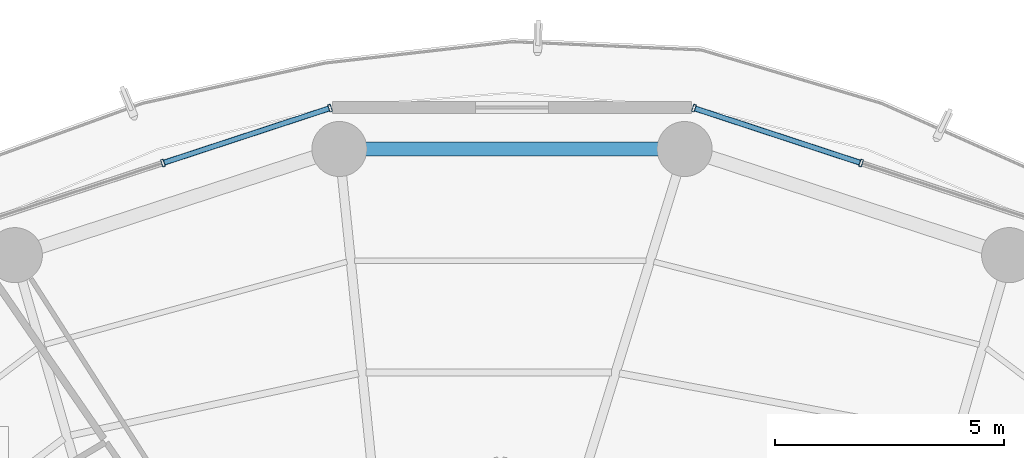
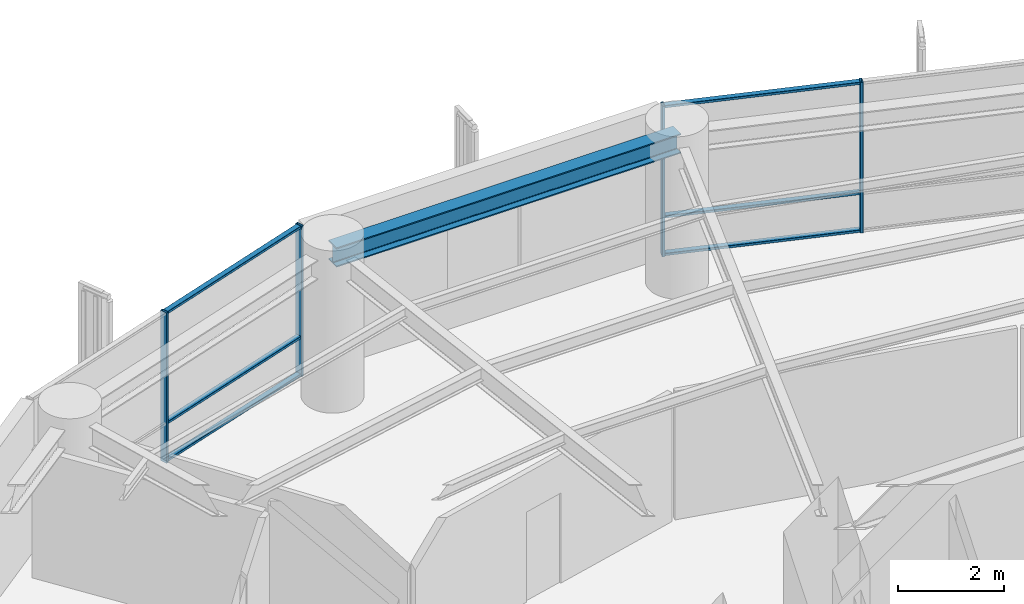
# One storey, part 18 of 27: 10 members, 1 beam, 2 elements without a shape of their own.
"""IFC4 building model written with IfcOpenShell, lengths in metres."""

from ifc_helpers import new_model, si_unit, direction, frame, origin, origin_2d, place, context, subcontext, project, spatial, hollow_rectangle, i_section, extrude, material, layer, layer_set, material_profile, profile_set, type_object, element, aggregate, save


model = new_model("IFC4")

# Units and contexts
model_context = context("Model", 3, precision=1e-05, world=origin(), true_north=direction((0.0, 1.0)))
body_context = subcontext(model_context, "Body", "Model", "MODEL_VIEW")
ifc_project = project(units=[si_unit("LENGTHUNIT", "METRE"), si_unit("AREAUNIT", "SQUARE_METRE"), si_unit("VOLUMEUNIT", "CUBIC_METRE"), si_unit("PLANEANGLEUNIT", "RADIAN"), si_unit("MASSUNIT", "GRAM", prefix="KILO")], contexts=[model_context])

# Site, building, storey
site_placement = place(None, origin())
site = spatial("IfcSite", under=ifc_project, at=site_placement, CompositionType="ELEMENT")
building_placement = place(site_placement, origin())
building = spatial("IfcBuilding", under=site, at=building_placement, Name="Kelanora Arch Commons", CompositionType="ELEMENT")
storey_placement = place(building_placement, frame((0.0, 0.0, 165.60009765625)))
storey = spatial("IfcBuildingStorey", under=building, at=storey_placement, Name="L42", CompositionType="ELEMENT", Elevation=165.60009765625)

# Beam
ifc_material_1 = material(Name="Steel S355", Category="steel")
ifc_material_profile_1 = material_profile(ifc_material_1, i_section(OverallWidth=0.300048828125, OverallDepth=0.449951171875, WebThickness=0.013916015625, FlangeThickness=0.02587890625, FilletRadius=0.027099609375, at=origin_2d()), Name="HEB450")
ifc_profile_set_1 = profile_set([ifc_material_profile_1], Name="Steel S355")
beam_type = type_object("IfcBeamType", Name="BM-SPN-Z3", PredefinedType="SPANDREL", material=ifc_profile_set_1)
beam_placement = place(storey_placement, frame((77.7646484375, 77.18408203125, 3.264892578125), z_axis=(-1.0, 0.0, 0.0), x_axis=(0.0, -1.0, 0.0)))
element("IfcBeam", 1, at=beam_placement, inside=storey, type_object=beam_type, Name="Perimeter Spandrel Beam BS-08 L42", PredefinedType="SPANDREL", context=body_context, shape_type="SweptSolid", body=[
    extrude(i_section(OverallWidth=0.300048828125, OverallDepth=0.449951171875, WebThickness=0.013916015625, FlangeThickness=0.02587890625, FilletRadius=0.027099609375, at=origin_2d()), origin(), (0.0, 0.0, 1.0), 7.529296875),
])

# Curtain wall, members
ifc_material_2 = material(Name="Terracotta ceramic-fritted low-E glass and aluminium", Category="masonry")
ifc_layer = layer(ifc_material_2, 0.175048828125)
ifc_layer_set = layer_set([ifc_layer], Name="Terracotta ceramic-fritted low-E glass and aluminium")
curtain_wall_type = type_object("IfcCurtainWallType", Name="CW-SYS-02", PredefinedType="NOTDEFINED", material=ifc_layer_set)
curtain_wall_1_placement = place(storey_placement, origin())
curtain_wall_1 = element("IfcCurtainWall", 2, at=curtain_wall_1_placement, inside=storey, type_object=curtain_wall_type, Name="Unitised Curtain Wall L42-B03", PredefinedType="NOTDEFINED")
ifc_material_3 = material(Name="Powder-coated aluminium terracotta", Category="masonry")
ifc_material_profile_2 = material_profile(ifc_material_3, hollow_rectangle(XDim=0.159912109375, YDim=0.06005859375, WallThickness=0.0048828125, InnerFilletRadius=0.0048828125, OuterFilletRadius=0.010009765625, at=origin_2d()), Name="CWM160x60")
ifc_profile_set_2 = profile_set([ifc_material_profile_2], Name="Powder-coated aluminium terracotta")
member_type_1 = type_object("IfcMemberType", Name="CWM-STD", PredefinedType="MULLION", material=ifc_profile_set_2)
member_1_placement = place(storey_placement, frame((81.6123046875, 76.87841796875, 0.0), z_axis=(0.0, 0.0, 1.0), x_axis=(-0.312128279571, -0.95003996605, 0.0)))
member_1 = element("IfcMember", 3, at=member_1_placement, type_object=member_type_1, Name="CW-02 mullion 2", PredefinedType="MULLION", context=body_context, shape_type="SweptSolid", body=[
    extrude(hollow_rectangle(XDim=0.159912109375, YDim=0.06005859375, WallThickness=0.0048828125, InnerFilletRadius=0.0048828125, OuterFilletRadius=0.010009765625, at=origin_2d()), origin(), (0.0, 0.0, 1.0), 3.474853515625),
])
member_2_placement = place(storey_placement, frame((77.96728515625, 78.075927734375, 0.0), z_axis=(0.0, 0.0, 1.0), x_axis=(-0.312128279571, -0.95003996605, 0.0)))
member_2 = element("IfcMember", 4, at=member_2_placement, type_object=member_type_1, Name="CW-02 mullion 3", PredefinedType="MULLION", context=body_context, shape_type="SweptSolid", body=[
    extrude(hollow_rectangle(XDim=0.159912109375, YDim=0.06005859375, WallThickness=0.0048828125, InnerFilletRadius=0.0048828125, OuterFilletRadius=0.010009765625, at=origin_2d()), origin(), (0.0, 0.0, 1.0), 3.474853515625),
])

curtain_wall_2_placement = place(storey_placement, origin())
curtain_wall_2 = element("IfcCurtainWall", 5, at=curtain_wall_2_placement, inside=storey, type_object=curtain_wall_type, Name="Unitised Curtain Wall L42-B05", PredefinedType="NOTDEFINED")
member_3_placement = place(storey_placement, frame((70.03271484375, 78.075927734375, 0.0), z_axis=(0.0, 0.0, 1.0), x_axis=(0.312128279571, -0.95003996605, 0.0)))
member_3 = element("IfcMember", 6, at=member_3_placement, type_object=member_type_1, Name="CW-02 mullion 1", PredefinedType="MULLION", context=body_context, shape_type="SweptSolid", body=[
    extrude(hollow_rectangle(XDim=0.159912109375, YDim=0.06005859375, WallThickness=0.0048828125, InnerFilletRadius=0.0048828125, OuterFilletRadius=0.010009765625, at=origin_2d()), origin(), (0.0, 0.0, 1.0), 3.474853515625),
])
member_4_placement = place(storey_placement, frame((66.3876953125, 76.87841796875, 0.0), z_axis=(0.0, 0.0, 1.0), x_axis=(0.312128279571, -0.95003996605, 0.0)))
member_4 = element("IfcMember", 7, at=member_4_placement, type_object=member_type_1, Name="CW-02 mullion 2", PredefinedType="MULLION", context=body_context, shape_type="SweptSolid", body=[
    extrude(hollow_rectangle(XDim=0.159912109375, YDim=0.06005859375, WallThickness=0.0048828125, InnerFilletRadius=0.0048828125, OuterFilletRadius=0.010009765625, at=origin_2d()), origin(), (0.0, 0.0, 1.0), 3.474853515625),
])

# Member
ifc_material_profile_3 = material_profile(ifc_material_3, hollow_rectangle(XDim=0.1201171875, YDim=0.06005859375, WallThickness=0.0048828125, InnerFilletRadius=0.0048828125, OuterFilletRadius=0.010009765625, at=origin_2d()), Name="CWT120x60")
ifc_profile_set_3 = profile_set([ifc_material_profile_3], Name="Powder-coated aluminium terracotta")
member_type_2 = type_object("IfcMemberType", Name="CWT-STD", PredefinedType="USERDEFINED", material=ifc_profile_set_3)
member_5_placement = place(storey_placement, frame((81.583740234375, 76.887939453125, 0.02978515625), z_axis=(-0.950051191155, 0.312094111104, 0.0), x_axis=(-0.312094111104, -0.950051191155, 0.0)))
member_5 = element("IfcMember", 8, at=member_5_placement, type_object=member_type_2, Name="CW-02 transom 2.1", ObjectType="TRANSOM", PredefinedType="USERDEFINED", context=body_context, shape_type="SweptSolid", body=[
    extrude(hollow_rectangle(XDim=0.1201171875, YDim=0.06005859375, WallThickness=0.0048828125, InnerFilletRadius=0.0048828125, OuterFilletRadius=0.010009765625, at=origin_2d()), origin(), (0.0, 0.0, 1.0), 3.77685546875),
])

member_6_placement = place(storey_placement, frame((81.583740234375, 76.887939453125, 0.89990234375), z_axis=(-0.950051191155, 0.312094111104, 0.0), x_axis=(-0.312094111104, -0.950051191155, 0.0)))
member_6 = element("IfcMember", 9, at=member_6_placement, type_object=member_type_2, Name="CW-02 transom 2.2", ObjectType="TRANSOM", PredefinedType="USERDEFINED", context=body_context, shape_type="SweptSolid", body=[
    extrude(hollow_rectangle(XDim=0.1201171875, YDim=0.06005859375, WallThickness=0.0048828125, InnerFilletRadius=0.0048828125, OuterFilletRadius=0.010009765625, at=origin_2d()), origin(), (0.0, 0.0, 1.0), 3.77685546875),
])

member_7_placement = place(storey_placement, frame((81.583740234375, 76.887939453125, 3.44482421875), z_axis=(-0.950051191155, 0.312094111104, 0.0), x_axis=(-0.312094111104, -0.950051191155, 0.0)))
member_7 = element("IfcMember", 10, at=member_7_placement, type_object=member_type_2, Name="CW-02 transom 2.3", ObjectType="TRANSOM", PredefinedType="USERDEFINED", context=body_context, shape_type="SweptSolid", body=[
    extrude(hollow_rectangle(XDim=0.1201171875, YDim=0.06005859375, WallThickness=0.0048828125, InnerFilletRadius=0.0048828125, OuterFilletRadius=0.010009765625, at=origin_2d()), origin(), (0.0, 0.0, 1.0), 3.77685546875),
])

aggregate(curtain_wall_1, [member_1, member_2, member_5, member_6, member_7])

member_8_placement = place(storey_placement, frame((70.00439453125, 78.066650390625, 0.02978515625), z_axis=(-0.950051191155, -0.312094111104, 0.0), x_axis=(0.312094111104, -0.950051191155, 0.0)))
member_8 = element("IfcMember", 11, at=member_8_placement, type_object=member_type_2, Name="CW-02 transom 1.1", ObjectType="TRANSOM", PredefinedType="USERDEFINED", context=body_context, shape_type="SweptSolid", body=[
    extrude(hollow_rectangle(XDim=0.1201171875, YDim=0.06005859375, WallThickness=0.0048828125, InnerFilletRadius=0.0048828125, OuterFilletRadius=0.010009765625, at=origin_2d()), origin(), (0.0, 0.0, 1.0), 3.77685546875),
])

member_9_placement = place(storey_placement, frame((70.00439453125, 78.066650390625, 0.89990234375), z_axis=(-0.950051191155, -0.312094111104, 0.0), x_axis=(0.312094111104, -0.950051191155, 0.0)))
member_9 = element("IfcMember", 12, at=member_9_placement, type_object=member_type_2, Name="CW-02 transom 1.2", ObjectType="TRANSOM", PredefinedType="USERDEFINED", context=body_context, shape_type="SweptSolid", body=[
    extrude(hollow_rectangle(XDim=0.1201171875, YDim=0.06005859375, WallThickness=0.0048828125, InnerFilletRadius=0.0048828125, OuterFilletRadius=0.010009765625, at=origin_2d()), origin(), (0.0, 0.0, 1.0), 3.77685546875),
])

member_10_placement = place(storey_placement, frame((70.00439453125, 78.066650390625, 3.44482421875), z_axis=(-0.950051191155, -0.312094111104, 0.0), x_axis=(0.312094111104, -0.950051191155, 0.0)))
member_10 = element("IfcMember", 13, at=member_10_placement, type_object=member_type_2, Name="CW-02 transom 1.3", ObjectType="TRANSOM", PredefinedType="USERDEFINED", context=body_context, shape_type="SweptSolid", body=[
    extrude(hollow_rectangle(XDim=0.1201171875, YDim=0.06005859375, WallThickness=0.0048828125, InnerFilletRadius=0.0048828125, OuterFilletRadius=0.010009765625, at=origin_2d()), origin(), (0.0, 0.0, 1.0), 3.77685546875),
])

aggregate(curtain_wall_2, [member_3, member_4, member_8, member_9, member_10])

save(model, "model.ifc")
